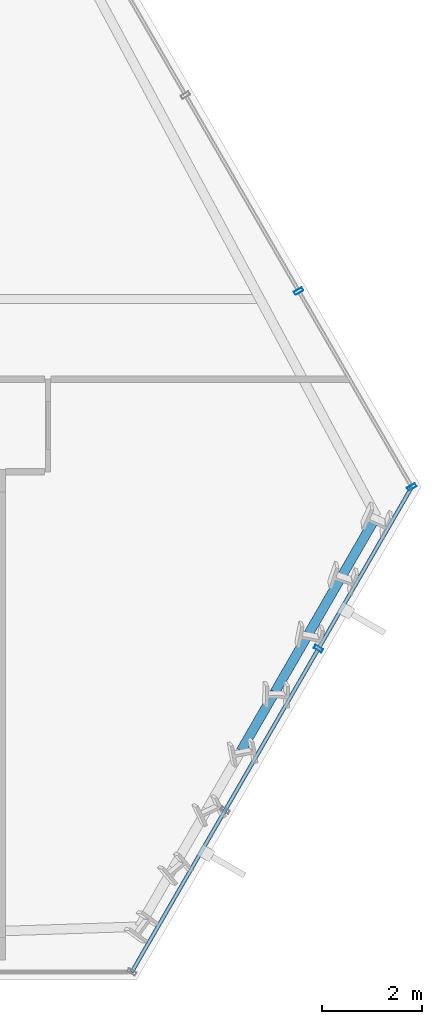
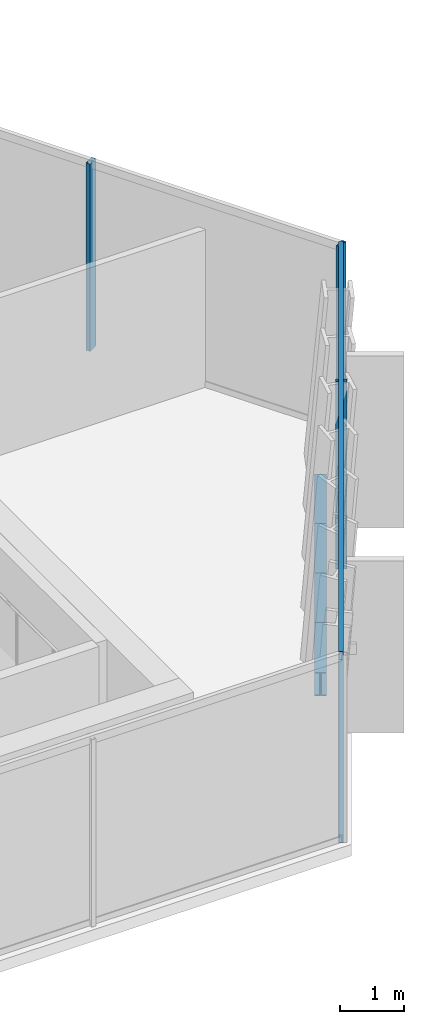
# One storey, part 17 of 32: 5 members, 4 beams, 2 elements without a shape of their own.
"""IFC4 building model written with IfcOpenShell, lengths in metres."""

from ifc_helpers import new_model, si_unit, direction, frame, origin, origin_2d, place, context, subcontext, project, spatial, hollow_rectangle, i_section, extrude, material, layer, layer_set, material_profile, profile_set, type_object, element, aggregate, save


model = new_model("IFC4")

# Units and contexts
model_context = context("Model", 3, precision=1e-05, world=origin(), true_north=direction((0.0, 1.0)))
body_context = subcontext(model_context, "Body", "Model", "MODEL_VIEW")
ifc_project = project(units=[si_unit("LENGTHUNIT", "METRE"), si_unit("AREAUNIT", "SQUARE_METRE"), si_unit("VOLUMEUNIT", "CUBIC_METRE"), si_unit("PLANEANGLEUNIT", "RADIAN"), si_unit("MASSUNIT", "GRAM", prefix="KILO")], contexts=[model_context])

# Site, building, storey
site_placement = place(None, origin())
site = spatial("IfcSite", under=ifc_project, at=site_placement, CompositionType="ELEMENT")
building_placement = place(site_placement, origin())
building = spatial("IfcBuilding", under=site, at=building_placement, Name="Ndaravel Arena Tower", CompositionType="ELEMENT")
storey_placement = place(building_placement, frame((0.0, 0.0, 157.39990234375)))
storey = spatial("IfcBuildingStorey", under=building, at=storey_placement, Name="L37", CompositionType="ELEMENT", Elevation=157.39990234375)

# Beams
ifc_material_1 = material(Name="Steel S355", Category="steel")
ifc_material_profile_1 = material_profile(ifc_material_1, i_section(OverallWidth=0.18994140625, OverallDepth=0.449951171875, WebThickness=0.009521484375, FlangeThickness=0.0146484375, FilletRadius=0.02099609375, at=origin_2d()), Name="IPE 450")
ifc_profile_set_1 = profile_set([ifc_material_profile_1], Name="Steel S355")
beam_type = type_object("IfcBeamType", Name="BM-SPAN-IPE450", PredefinedType="SPANDREL", material=ifc_profile_set_1)
for number, where, z_axis, x_axis, name in (
    (1, (62.256591796875, 9.577392578125, -0.44482421875), (0.500082007311, 0.865978051664, 0.0), (-0.865978051664, 0.500082007311, 0.0), "L37 Perimeter Spandrel Beam SP-05"),
    (2, (62.9326171875, 10.748046875, -0.44482421875), (0.49994655361, 0.866056258873, 0.0), (-0.866056258873, 0.49994655361, 0.0), "L37 Perimeter Spandrel Beam SP-06"),
    (3, (63.6083984375, 11.918701171875, -0.44482421875), (0.500082007311, 0.865978051664, 0.0), (-0.865978051664, 0.500082007311, 0.0), "L37 Perimeter Spandrel Beam SP-07"),
    (4, (64.284423828125, 13.08935546875, -0.44482421875), (0.49994655361, 0.866056258873, 0.0), (-0.866056258873, 0.49994655361, 0.0), "L37 Perimeter Spandrel Beam SP-08"),
):
    element("IfcBeam", number, at=place(storey_placement, frame(where, z_axis=z_axis, x_axis=x_axis)), inside=storey, type_object=beam_type, Name=name, PredefinedType="SPANDREL", context=body_context, shape_type="SweptSolid", body=[
        extrude(i_section(OverallWidth=0.18994140625, OverallDepth=0.449951171875, WebThickness=0.009521484375, FlangeThickness=0.0146484375, FilletRadius=0.02099609375, at=origin_2d()), origin(), (0.0, 0.0, 1.0), 1.351806640625),
    ])

# Curtain wall, member
ifc_material_2 = material(Name="Aluminium", Category="aluminium")
ifc_layer_1 = layer(ifc_material_2, 0.179931640625)
ifc_layer_set_1 = layer_set([ifc_layer_1], Name="Aluminium")
curtain_wall_type_1 = type_object("IfcCurtainWallType", Name="CW-SYS-01", PredefinedType="NOTDEFINED", material=ifc_layer_set_1)
curtain_wall_1_placement = place(storey_placement, origin())
curtain_wall_1 = element("IfcCurtainWall", 5, at=curtain_wall_1_placement, inside=storey, type_object=curtain_wall_type_1, Name="L37 Faceted Crystal Curtain Wall CW-L37-E02", PredefinedType="NOTDEFINED")
ifc_material_3 = material(Name="Aluminium", Category="aluminium")
ifc_material_profile_2 = material_profile(ifc_material_3, hollow_rectangle(XDim=0.074951171875, YDim=0.179931640625, WallThickness=0.00390625, at=origin_2d()), Name="CW MULLION 75x180x4")
ifc_profile_set_2 = profile_set([ifc_material_profile_2], Name="Aluminium")
member_type_1 = type_object("IfcMemberType", Name="MEM-CW-MUL180", PredefinedType="MULLION", material=ifc_profile_set_2)
member_1_placement = place(storey_placement, frame((63.8037109375, 11.616943359375, 0.0), z_axis=(0.0, 0.0, 1.0), x_axis=(0.5, 0.866025403784, 0.0)))
member_1 = element("IfcMember", 6, at=member_1_placement, type_object=member_type_1, Name="CW-L37-E02 Mullion 02", PredefinedType="MULLION", context=body_context, shape_type="SweptSolid", body=[
    extrude(hollow_rectangle(XDim=0.074951171875, YDim=0.179931640625, WallThickness=0.00390625, at=origin_2d()), origin(), (0.0, 0.0, 1.0), 3.580078125),
])

# Curtain wall, members
ifc_material_4 = material(Name="Aluminium", Category="aluminium")
ifc_layer_2 = layer(ifc_material_4, 0.179931640625)
ifc_layer_set_2 = layer_set([ifc_layer_2], Name="Aluminium")
curtain_wall_type_2 = type_object("IfcCurtainWallType", Name="CW-SYS-03", PredefinedType="NOTDEFINED", material=ifc_layer_set_2)
curtain_wall_2_placement = place(storey_placement, origin())
curtain_wall_2 = element("IfcCurtainWall", 7, at=curtain_wall_2_placement, inside=storey, type_object=curtain_wall_type_2, Name="L37 Faceted Crystal Curtain Wall CW-L37-E03", PredefinedType="NOTDEFINED")
member_2_placement = place(storey_placement, frame((65.667724609375, 14.845458984375, 0.0), z_axis=(0.0, 0.0, 1.0), x_axis=(-0.5, 0.866025403784, 0.0)))
member_2 = element("IfcMember", 8, at=member_2_placement, type_object=member_type_1, Name="CW-L37-E03 Mullion 00", PredefinedType="MULLION", context=body_context, shape_type="SweptSolid", body=[
    extrude(hollow_rectangle(XDim=0.074951171875, YDim=0.179931640625, WallThickness=0.00390625, at=origin_2d()), origin(), (0.0, 0.0, 1.0), 3.580078125),
])
member_3_placement = place(storey_placement, frame((63.408203125, 18.7587890625, 0.0), z_axis=(0.0, 0.0, 1.0), x_axis=(-0.5, 0.866025403784, 0.0)))
member_3 = element("IfcMember", 9, at=member_3_placement, type_object=member_type_1, Name="CW-L37-E03 Mullion 01", PredefinedType="MULLION", context=body_context, shape_type="SweptSolid", body=[
    extrude(hollow_rectangle(XDim=0.074951171875, YDim=0.179931640625, WallThickness=0.00390625, at=origin_2d()), origin(), (0.0, 0.0, 1.0), 3.580078125),
])
aggregate(curtain_wall_2, [member_2, member_3])

# Member
ifc_material_5 = material(Name="Aluminium", Category="aluminium")
ifc_material_profile_3 = material_profile(ifc_material_5, hollow_rectangle(XDim=0.074951171875, YDim=0.14990234375, WallThickness=0.00390625, at=origin_2d()), Name="CW TRANSOM 75x150x4")
ifc_profile_set_3 = profile_set([ifc_material_profile_3], Name="Aluminium")
member_type_2 = type_object("IfcMemberType", Name="MEM-CW-TRN150", PredefinedType="USERDEFINED", material=ifc_profile_set_3)
member_4_placement = place(storey_placement, frame((60.07568359375, 5.159912109375, 0.0400390625), z_axis=(0.500005895944, 0.866021999733, 0.0), x_axis=(-0.866021999733, 0.500005895944, 0.0)))
member_4 = element("IfcMember", 10, at=member_4_placement, type_object=member_type_2, Name="CW-L37-E02 Transom 01", ObjectType="TRANSOM", PredefinedType="USERDEFINED", context=body_context, shape_type="SweptSolid", body=[
    extrude(hollow_rectangle(XDim=0.074951171875, YDim=0.14990234375, WallThickness=0.00390625, at=origin_2d()), origin(), (0.0, 0.0, 1.0), 11.183837890625),
])

member_5_placement = place(storey_placement, frame((60.07568359375, 5.159912109375, 3.5400390625), z_axis=(0.500005895944, 0.866021999733, 0.0), x_axis=(-0.866021999733, 0.500005895944, 0.0)))
member_5 = element("IfcMember", 11, at=member_5_placement, type_object=member_type_2, Name="CW-L37-E02 Transom 02", ObjectType="TRANSOM", PredefinedType="USERDEFINED", context=body_context, shape_type="SweptSolid", body=[
    extrude(hollow_rectangle(XDim=0.074951171875, YDim=0.14990234375, WallThickness=0.00390625, at=origin_2d()), origin(), (0.0, 0.0, 1.0), 11.183837890625),
])

aggregate(curtain_wall_1, [member_1, member_4, member_5])

save(model, "model.ifc")
